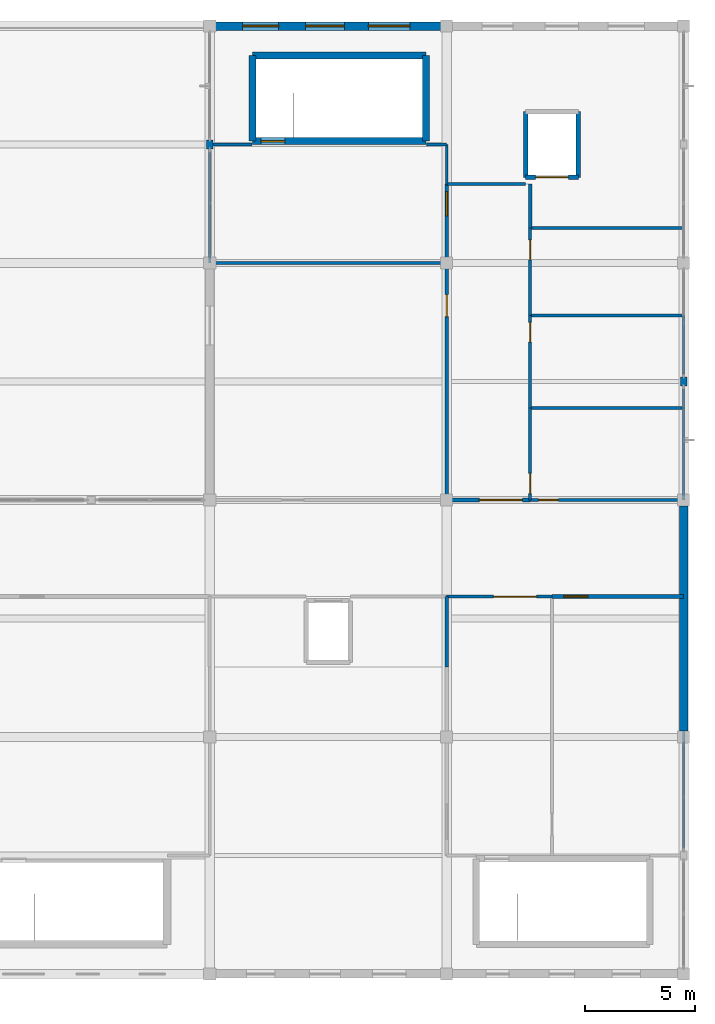
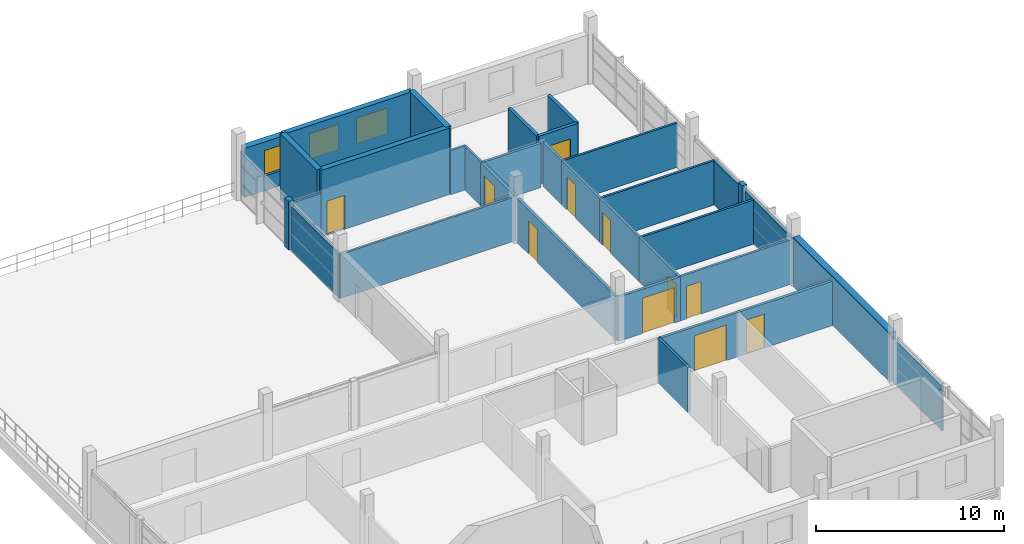
# One storey, part 13 of 15: 35 walls, 11 doors, 3 windows, 14 openings.
"""IFC4 building model written with IfcOpenShell, lengths in metres."""

from ifc_helpers import new_model, si_unit, direction, frame, frame_2d, origin, place, context, subcontext, project, spatial, rectangle, extrude, material, layer, layer_set, type_object, element, fill, save


model = new_model("IFC4")

# Units and contexts
model_context = context("Model", 3, precision=1e-05, world=origin(), true_north=direction((0.0, 1.0)))
body_context = subcontext(model_context, "Body", "Model", "MODEL_VIEW")
ifc_project = project(units=[si_unit("LENGTHUNIT", "METRE"), si_unit("AREAUNIT", "SQUARE_METRE"), si_unit("VOLUMEUNIT", "CUBIC_METRE"), si_unit("PLANEANGLEUNIT", "RADIAN"), si_unit("MASSUNIT", "GRAM", prefix="KILO")], contexts=[model_context])

# Site, building, storey
site_placement = place(None, origin())
site = spatial("IfcSite", under=ifc_project, at=site_placement, CompositionType="ELEMENT")
building_placement = place(site_placement, origin())
building = spatial("IfcBuilding", under=site, at=building_placement, Name="Zwinboog Wholesale Market", CompositionType="ELEMENT")
storey_placement = place(building_placement, frame((0.0, 0.0, 14.760009765625)))
storey = spatial("IfcBuildingStorey", under=building, at=storey_placement, Name="L03", CompositionType="ELEMENT", Elevation=14.760009765625)

# Wall, openings, windows
ifc_material_1 = material(Name="Precast concrete C45/55", Category="concrete")
ifc_layer_1 = layer(ifc_material_1, 0.389892578125)
ifc_layer_set_1 = layer_set([ifc_layer_1], Name="Precast concrete C45/55")
wall_type_1 = type_object("IfcWallType", Name="WT-EW-390", PredefinedType="STANDARD", material=ifc_layer_set_1)
wall_1_placement = place(storey_placement, frame((151.469970703125, 43.199951171875, 0.0), z_axis=(0.0, 0.0, 1.0), x_axis=(1.0, 0.0, 0.0)))
wall_1 = element("IfcWall", 1, at=wall_1_placement, inside=storey, type_object=wall_type_1, Name="EW-02 (WL-EW-L03-223)", PredefinedType="STANDARD", context=body_context, shape_type="SweptSolid", body=[
    extrude(rectangle(XDim=10.260009765625, YDim=0.389892578125, at=frame_2d((5.1298828125, 0.0))), origin(), (0.0, 0.0, 1.0), 3.169921875),
])
opening_1_placement = place(wall_1_placement, frame((1.22509765625, 0.0, 0.949951171875)))
opening_1 = element("IfcOpeningElement", 2, at=opening_1_placement, cuts=wall_1, Name="Opening WN-46", PredefinedType="OPENING", context=body_context, shape_type="SweptSolid", body=[
    extrude(rectangle(XDim=1.64990234375, YDim=1.64990234375, at=frame_2d((0.824951171875, 0.824951171875))), frame((0.0, 0.204833984375, 0.0), z_axis=(0.0, -1.0, 0.0), x_axis=(1.0, 0.0, 0.0)), (0.0, 0.0, 1.0), 0.409912109375),
])
opening_2_placement = place(wall_1_placement, frame((4.094970703125, 0.0, 0.949951171875)))
opening_2 = element("IfcOpeningElement", 3, at=opening_2_placement, cuts=wall_1, Name="Opening WN-47", PredefinedType="OPENING", context=body_context, shape_type="SweptSolid", body=[
    extrude(rectangle(XDim=1.77001953125, YDim=1.64990234375, at=frame_2d((0.885009765625, 0.824951171875))), frame((0.0, 0.204833984375, 0.0), z_axis=(0.0, -1.0, 0.0), x_axis=(1.0, 0.0, 0.0)), (0.0, 0.0, 1.0), 0.409912109375),
])
opening_3_placement = place(wall_1_placement, frame((6.965087890625, 0.0, 0.949951171875)))
opening_3 = element("IfcOpeningElement", 4, at=opening_3_placement, cuts=wall_1, Name="Opening WN-48", PredefinedType="OPENING", context=body_context, shape_type="SweptSolid", body=[
    extrude(rectangle(XDim=1.889892578125, YDim=1.64990234375, at=frame_2d((0.94482421875, 0.824951171875))), frame((0.0, 0.204833984375, 0.0), z_axis=(0.0, -1.0, 0.0), x_axis=(1.0, 0.0, 0.0)), (0.0, 0.0, 1.0), 0.409912109375),
])
ifc_material_2 = material(Name="Thermally broken aluminium low-e window", Category="aluminium")
window_type_1 = type_object("IfcWindowType", Name="WNT-46", PartitioningType="SINGLE_PANEL", PredefinedType="WINDOW", material=ifc_material_2)
window_1_placement = place(opening_1_placement, origin())
window_1 = element("IfcWindow", 5, at=window_1_placement, inside=storey, type_object=window_type_1, Name="WN-46 (WIN-L03-0262)", OverallHeight=1.64990234375, OverallWidth=1.64990234375, PartitioningType="SINGLE_PANEL", PredefinedType="WINDOW", context=body_context, shape_type="SweptSolid", body=[
    extrude(rectangle(XDim=1.64990234375, YDim=1.64990234375, at=frame_2d((0.824951171875, 0.824951171875))), frame((0.0, 0.030029296875, 0.0), z_axis=(0.0, -1.0, 0.0), x_axis=(1.0, 0.0, 0.0)), (0.0, 0.0, 1.0), 0.06005859375),
])
fill(opening_1, window_1)
window_type_2 = type_object("IfcWindowType", Name="WNT-47", PartitioningType="SINGLE_PANEL", PredefinedType="WINDOW", material=ifc_material_2)
window_2_placement = place(opening_2_placement, origin())
window_2 = element("IfcWindow", 6, at=window_2_placement, inside=storey, type_object=window_type_2, Name="WN-47 (WIN-L03-0263)", OverallHeight=1.64990234375, OverallWidth=1.77001953125, PartitioningType="SINGLE_PANEL", PredefinedType="WINDOW", context=body_context, shape_type="SweptSolid", body=[
    extrude(rectangle(XDim=1.77001953125, YDim=1.64990234375, at=frame_2d((0.885009765625, 0.824951171875))), frame((0.0, 0.030029296875, 0.0), z_axis=(0.0, -1.0, 0.0), x_axis=(1.0, 0.0, 0.0)), (0.0, 0.0, 1.0), 0.06005859375),
])
fill(opening_2, window_2)
window_type_3 = type_object("IfcWindowType", Name="WNT-48", PartitioningType="SINGLE_PANEL", PredefinedType="WINDOW", material=ifc_material_2)
window_3_placement = place(opening_3_placement, origin())
window_3 = element("IfcWindow", 7, at=window_3_placement, inside=storey, type_object=window_type_3, Name="WN-48 (WIN-L03-0264)", OverallHeight=1.64990234375, OverallWidth=1.889892578125, PartitioningType="SINGLE_PANEL", PredefinedType="WINDOW", context=body_context, shape_type="SweptSolid", body=[
    extrude(rectangle(XDim=1.889892578125, YDim=1.64990234375, at=frame_2d((0.94482421875, 0.824951171875))), frame((0.0, 0.030029296875, 0.0), z_axis=(0.0, -1.0, 0.0), x_axis=(1.0, 0.0, 0.0)), (0.0, 0.0, 1.0), 0.06005859375),
])
fill(opening_3, window_3)

# Walls
wall_2_placement = place(storey_placement, frame((172.800048828125, 11.070068359375, 0.0), z_axis=(0.0, 0.0, 1.0), x_axis=(0.0, 1.0, 0.0)))
element("IfcWall", 8, at=wall_2_placement, inside=storey, type_object=wall_type_1, Name="EW-02 (WL-EW-L03-227)", PredefinedType="STANDARD", context=body_context, shape_type="SweptSolid", body=[
    extrude(rectangle(XDim=10.260009765625, YDim=0.389892578125, at=frame_2d((5.1298828125, 0.0))), origin(), (0.0, 0.0, 1.0), 3.169921875),
])
ifc_layer_2 = layer(ifc_material_1, 0.304931640625)
ifc_layer_set_2 = layer_set([ifc_layer_2], Name="Precast concrete C45/55")
wall_type_2 = type_object("IfcWallType", Name="WT-EW-305", PredefinedType="STANDARD", material=ifc_layer_set_2)
for number, where, z_axis, x_axis, name in (
    (9, (151.199951171875, 37.60009765625, 0.0), (0.0, 0.0, 1.0), (0.0, 1.0, 0.0), "EW-07 (WL-PIER-L03-224)"),
    (10, (172.800048828125, 26.800048828125, 0.0), (0.0, 0.0, 1.0), (0.0, 1.0, 0.0), "EW-07 (WL-PIER-L03-228)"),
):
    element("IfcWall", number, at=place(storey_placement, frame(where, z_axis=z_axis, x_axis=x_axis)), inside=storey, type_object=wall_type_2, Name=name, PredefinedType="STANDARD", context=body_context, shape_type="SweptSolid", body=[
        extrude(rectangle(XDim=0.39990234375, YDim=0.304931640625, at=frame_2d((0.199951171875, 0.0))), origin(), (0.0, 0.0, 1.0), 3.169921875),
    ])

# Wall, opening, door
ifc_material_3 = material(Name="Concrete C40/50", Category="concrete")
ifc_layer_3 = layer(ifc_material_3, 0.320068359375)
ifc_layer_set_3 = layer_set([ifc_layer_3], Name="Concrete C40/50")
wall_type_3 = type_object("IfcWallType", Name="WT-SW-320", PredefinedType="SHEAR", material=ifc_layer_set_3)
wall_3_placement = place(storey_placement, frame((153.14990234375, 37.949951171875, 0.0), z_axis=(0.0, 0.0, 1.0), x_axis=(1.0, 0.0, 0.0)))
wall_3 = element("IfcWall", 11, at=wall_3_placement, inside=storey, type_object=wall_type_3, Name="SW-03 (WL-SW-L03-125)", PredefinedType="SHEAR", context=body_context, shape_type="SweptSolid", body=[
    extrude(rectangle(XDim=7.900146484375, YDim=0.320068359375, at=frame_2d((3.9501953125, 0.0))), origin(), (0.0, 0.0, 1.0), 4.320068359375),
])
opening_4_placement = place(wall_3_placement, frame((0.3798828125, 0.0, 0.0)))
opening_4 = element("IfcOpeningElement", 12, at=opening_4_placement, cuts=wall_3, Name="Opening FD-0032", PredefinedType="OPENING", context=body_context, shape_type="SweptSolid", body=[
    extrude(rectangle(XDim=1.10009765625, YDim=2.199951171875, at=frame_2d((0.550048828125, 1.10009765625))), frame((0.0, 0.169921875, 0.0), z_axis=(0.0, -1.0, 0.0), x_axis=(1.0, 0.0, 0.0)), (0.0, 0.0, 1.0), 0.340087890625),
])
ifc_material_4 = material(Name="Timber and powder-coated steel door leaf", Category="steel")
door_type_1 = type_object("IfcDoorType", Name="IDT-FD-02", OperationType="NOTDEFINED", PredefinedType="DOOR", material=ifc_material_4)
door_1_placement = place(opening_4_placement, frame((1.10009765625, 0.0, 0.0), z_axis=(0.0, 0.0, 1.0), x_axis=(-1.0, 0.0, 0.0)))
door_1 = element("IfcDoor", 13, at=door_1_placement, inside=storey, type_object=door_type_1, Name="Core Fire Door FD-0032", OperationType="SINGLE_SWING_LEFT", OverallHeight=2.199951171875, OverallWidth=1.10009765625, PredefinedType="DOOR", context=body_context, shape_type="SweptSolid", body=[
    extrude(rectangle(XDim=1.10009765625, YDim=2.199951171875, at=frame_2d((0.550048828125, 1.10009765625))), frame((0.0, 0.02490234375, 0.0), z_axis=(0.0, -1.0, 0.0), x_axis=(1.0, 0.0, 0.0)), (0.0, 0.0, 1.0), 0.050048828125),
])
fill(opening_4, door_1)

# Walls
wall_4_placement = place(storey_placement, frame((153.14990234375, 41.85009765625, 0.0), z_axis=(0.0, 0.0, 1.0), x_axis=(1.0, 0.0, 0.0)))
element("IfcWall", 14, at=wall_4_placement, inside=storey, type_object=wall_type_3, Name="SW-03 (WL-SW-L03-126)", PredefinedType="SHEAR", context=body_context, shape_type="SweptSolid", body=[
    extrude(rectangle(XDim=7.900146484375, YDim=0.320068359375, at=frame_2d((3.9501953125, 0.0))), origin(), (0.0, 0.0, 1.0), 4.320068359375),
])
for number, where, z_axis, x_axis, name in (
    (15, (153.14990234375, 37.949951171875, 0.0), (0.0, 0.0, 1.0), (0.0, 1.0, 0.0), "SW-03 (WL-SW-L03-127)"),
    (16, (161.050048828125, 37.949951171875, 0.0), (0.0, 0.0, 1.0), (0.0, 1.0, 0.0), "SW-03 (WL-SW-L03-128)"),
):
    element("IfcWall", number, at=place(storey_placement, frame(where, z_axis=z_axis, x_axis=x_axis)), inside=storey, type_object=wall_type_3, Name=name, PredefinedType="SHEAR", context=body_context, shape_type="SweptSolid", body=[
        extrude(rectangle(XDim=3.900146484375, YDim=0.320068359375, at=frame_2d((1.9501953125, 0.0))), origin(), (0.0, 0.0, 1.0), 4.320068359375),
    ])

# Wall, opening, door
ifc_layer_4 = layer(ifc_material_1, 0.199951171875)
ifc_layer_set_4 = layer_set([ifc_layer_4], Name="Precast concrete C45/55")
wall_type_4 = type_object("IfcWallType", Name="WT-IW-200", PredefinedType="SOLIDWALL", material=ifc_layer_set_4)
wall_5_placement = place(storey_placement, frame((165.60009765625, 36.300048828125, 0.0), z_axis=(0.0, 0.0, 1.0), x_axis=(1.0, 0.0, 0.0)))
wall_5 = element("IfcWall", 17, at=wall_5_placement, inside=storey, type_object=wall_type_4, Name="IW-60 (WL-LSH-L03-265)", PredefinedType="SOLIDWALL", context=body_context, shape_type="SweptSolid", body=[
    extrude(rectangle(XDim=2.39990234375, YDim=0.199951171875, at=frame_2d((1.199951171875, 0.0))), origin(), (0.0, 0.0, 1.0), 3.139892578125),
])
opening_5_placement = place(wall_5_placement, frame((0.449951171875, 0.0, 0.0)))
opening_5 = element("IfcOpeningElement", 18, at=opening_5_placement, cuts=wall_5, Name="Opening LD-025", PredefinedType="OPENING", context=body_context, shape_type="SweptSolid", body=[
    extrude(rectangle(XDim=1.5, YDim=2.300048828125, at=frame_2d((0.75, 1.14990234375))), frame((0.0, 0.10986328125, 0.0), z_axis=(0.0, -1.0, 0.0), x_axis=(1.0, 0.0, 0.0)), (0.0, 0.0, 1.0), 0.219970703125),
])
door_type_2 = type_object("IfcDoorType", Name="IDT-LD-150", OperationType="DOUBLE_DOOR_SLIDING", PredefinedType="DOOR", material=ifc_material_4)
door_2_placement = place(opening_5_placement, origin())
door_2 = element("IfcDoor", 19, at=door_2_placement, inside=storey, type_object=door_type_2, Name="Lift Landing Door LD-025 (LG-04)", OperationType="DOUBLE_DOOR_SLIDING", OverallHeight=2.300048828125, OverallWidth=1.5, PredefinedType="DOOR", context=body_context, shape_type="SweptSolid", body=[
    extrude(rectangle(XDim=1.5, YDim=2.300048828125, at=frame_2d((0.75, 1.14990234375))), frame((0.0, 0.02490234375, 0.0), z_axis=(0.0, -1.0, 0.0), x_axis=(1.0, 0.0, 0.0)), (0.0, 0.0, 1.0), 0.050048828125),
])
fill(opening_5, door_2)

# Walls
for number, where, z_axis, x_axis, name in (
    (20, (165.60009765625, 36.300048828125, 0.0), (0.0, 0.0, 1.0), (0.0, 1.0, 0.0), "IW-60 (WL-LSH-L03-267)"),
    (21, (168.0, 36.300048828125, 0.0), (0.0, 0.0, 1.0), (0.0, 1.0, 0.0), "IW-60 (WL-LSH-L03-268)"),
):
    element("IfcWall", number, at=place(storey_placement, frame(where, z_axis=z_axis, x_axis=x_axis)), inside=storey, type_object=wall_type_4, Name=name, PredefinedType="SOLIDWALL", context=body_context, shape_type="SweptSolid", body=[
        extrude(rectangle(XDim=3.0, YDim=0.199951171875, at=frame_2d((1.5, 0.0))), origin(), (0.0, 0.0, 1.0), 3.139892578125),
    ])
ifc_material_5 = material(Name="Gypsum acoustic stud partition")
ifc_layer_5 = layer(ifc_material_5, 0.10791015625)
ifc_layer_set_5 = layer_set([ifc_layer_5], Name="Gypsum acoustic stud partition")
wall_type_5 = type_object("IfcWallType", Name="WT-PT-108", PredefinedType="PARTITIONING", material=ifc_layer_set_5)
wall_6_placement = place(storey_placement, frame((151.199951171875, 32.39990234375, 0.0), z_axis=(0.0, 0.0, 1.0), x_axis=(0.0, 1.0, 0.0)))
element("IfcWall", 22, at=wall_6_placement, inside=storey, type_object=wall_type_5, Name="PW-01 (WL-IN-L03-0328)", PredefinedType="PARTITIONING", context=body_context, shape_type="SweptSolid", body=[
    extrude(rectangle(XDim=5.047607421875, YDim=0.10791015625, at=frame_2d((2.52392578125, 0.0))), origin(), (0.0, 0.0, 1.0), 2.869873046875),
])
wall_7_placement = place(storey_placement, frame((162.0, 36.0, 0.0), z_axis=(0.0, 0.0, 1.0), x_axis=(0.0, 1.0, 0.0)))
element("IfcWall", 23, at=wall_7_placement, inside=storey, type_object=wall_type_5, Name="PW-01 (WL-IN-L03-0334)", PredefinedType="PARTITIONING", context=body_context, shape_type="SweptSolid", body=[
    extrude(rectangle(XDim=1.800048828125, YDim=0.10791015625, at=frame_2d((0.89990234375, 0.0))), origin(), (0.0, 0.0, 1.0), 2.869873046875),
])
wall_8_placement = place(storey_placement, frame((172.800048828125, 5.75244140625, 0.0), z_axis=(0.0, 0.0, 1.0), x_axis=(0.0, 1.0, 0.0)))
element("IfcWall", 24, at=wall_8_placement, inside=storey, type_object=wall_type_5, Name="PW-01 (WL-IN-L03-0340)", PredefinedType="PARTITIONING", context=body_context, shape_type="SweptSolid", body=[
    extrude(rectangle(XDim=5.297607421875, YDim=0.10791015625, at=frame_2d((2.64892578125, 0.0))), origin(), (0.0, 0.0, 1.0), 2.869873046875),
])
ifc_layer_6 = layer(ifc_material_5, 0.1240234375)
ifc_layer_set_6 = layer_set([ifc_layer_6], Name="Gypsum acoustic stud partition")
wall_type_6 = type_object("IfcWallType", Name="WT-PT-124", PredefinedType="PARTITIONING", material=ifc_layer_set_6)
wall_9_placement = place(storey_placement, frame((151.33251953125, 37.800048828125, 0.0), z_axis=(0.0, 0.0, 1.0), x_axis=(1.0, 0.0, 0.0)))
element("IfcWall", 25, at=wall_9_placement, inside=storey, type_object=wall_type_6, Name="PW-02 (WL-IN-L03-0329)", PredefinedType="PARTITIONING", context=body_context, shape_type="SweptSolid", body=[
    extrude(rectangle(XDim=1.79736328125, YDim=0.1240234375, at=frame_2d((0.898681640625, 0.0))), origin(), (0.0, 0.0, 1.0), 2.869873046875),
])
wall_10_placement = place(storey_placement, frame((161.070068359375, 37.800048828125, 0.0), z_axis=(0.0, 0.0, 1.0), x_axis=(1.0, 0.0, 0.0)))
element("IfcWall", 26, at=wall_10_placement, inside=storey, type_object=wall_type_6, Name="PW-02 (WL-IN-L03-0330)", PredefinedType="PARTITIONING", context=body_context, shape_type="SweptSolid", body=[
    extrude(rectangle(XDim=0.929931640625, YDim=0.1240234375, at=frame_2d((0.46484375, 0.0))), origin(), (0.0, 0.0, 1.0), 2.869873046875),
])

# Wall, opening, door
ifc_material_6 = material(Name="Hygienic washable stud partition")
ifc_layer_7 = layer(ifc_material_6, 0.137939453125)
ifc_layer_set_7 = layer_set([ifc_layer_7], Name="Hygienic washable stud partition")
wall_type_7 = type_object("IfcWallType", Name="WT-PT-138", PredefinedType="PARTITIONING", material=ifc_layer_set_7)
wall_11_placement = place(storey_placement, frame((165.800048828125, 21.60009765625, 0.0), z_axis=(0.0, 0.0, 1.0), x_axis=(1.0, 0.0, 0.0)))
wall_11 = element("IfcWall", 27, at=wall_11_placement, inside=storey, type_object=wall_type_7, Name="PW-03 (WL-IN-L03-0301)", PredefinedType="PARTITIONING", context=body_context, shape_type="SweptSolid", body=[
    extrude(rectangle(XDim=7.0, YDim=0.137939453125, at=frame_2d((3.5, 0.0))), origin(), (0.0, 0.0, 1.0), 2.869873046875),
])
opening_6_placement = place(wall_11_placement, frame((0.389892578125, 0.0, 0.0)))
opening_6 = element("IfcOpeningElement", 28, at=opening_6_placement, cuts=wall_11, Name="Opening D-0097", PredefinedType="OPENING", context=body_context, shape_type="SweptSolid", body=[
    extrude(rectangle(XDim=0.89990234375, YDim=2.10009765625, at=frame_2d((0.449951171875, 1.050048828125))), frame((0.0, 0.078857421875, 0.0), z_axis=(0.0, -1.0, 0.0), x_axis=(1.0, 0.0, 0.0)), (0.0, 0.0, 1.0), 0.157958984375),
])
door_type_3 = type_object("IfcDoorType", Name="IDT-WC-01", OperationType="NOTDEFINED", PredefinedType="DOOR", material=ifc_material_4)
door_3_placement = place(opening_6_placement, origin())
door_3 = element("IfcDoor", 29, at=door_3_placement, inside=storey, type_object=door_type_3, Name="Interior Door D-0097", OperationType="SINGLE_SWING_RIGHT", OverallHeight=2.10009765625, OverallWidth=0.89990234375, PredefinedType="DOOR", context=body_context, shape_type="SweptSolid", body=[
    extrude(rectangle(XDim=0.89990234375, YDim=2.10009765625, at=frame_2d((0.449951171875, 1.050048828125))), frame((0.0, 0.02490234375, 0.0), z_axis=(0.0, -1.0, 0.0), x_axis=(1.0, 0.0, 0.0)), (0.0, 0.0, 1.0), 0.050048828125),
])
fill(opening_6, door_3)

wall_12_placement = place(storey_placement, frame((165.800048828125, 21.60009765625, 0.0), z_axis=(0.0, 0.0, 1.0), x_axis=(0.0, 1.0, 0.0)))
wall_12 = element("IfcWall", 30, at=wall_12_placement, inside=storey, type_object=wall_type_7, Name="PW-03 (WL-IN-L03-0302)", PredefinedType="PARTITIONING", context=body_context, shape_type="SweptSolid", body=[
    extrude(rectangle(XDim=4.199951171875, YDim=0.137939453125, at=frame_2d((2.10009765625, 0.0))), origin(), (0.0, 0.0, 1.0), 2.869873046875),
])
opening_7_placement = place(wall_12_placement, frame((0.2958984375, 0.0, 0.0)))
opening_7 = element("IfcOpeningElement", 31, at=opening_7_placement, cuts=wall_12, Name="Opening D-0098", PredefinedType="OPENING", context=body_context, shape_type="SweptSolid", body=[
    extrude(rectangle(XDim=0.919921875, YDim=2.139892578125, at=frame_2d((0.4599609375, 1.06982421875))), frame((0.0, 0.078857421875, 0.0), z_axis=(0.0, -1.0, 0.0), x_axis=(1.0, 0.0, 0.0)), (0.0, 0.0, 1.0), 0.157958984375),
])
door_type_4 = type_object("IfcDoorType", Name="IDT-WC-02", OperationType="NOTDEFINED", PredefinedType="DOOR", material=ifc_material_4)
door_4_placement = place(opening_7_placement, origin())
door_4 = element("IfcDoor", 32, at=door_4_placement, inside=storey, type_object=door_type_4, Name="Interior Door D-0098", OperationType="SINGLE_SWING_LEFT", OverallHeight=2.139892578125, OverallWidth=0.919921875, PredefinedType="DOOR", context=body_context, shape_type="SweptSolid", body=[
    extrude(rectangle(XDim=0.919921875, YDim=2.139892578125, at=frame_2d((0.4599609375, 1.06982421875))), frame((0.0, 0.02490234375, 0.0), z_axis=(0.0, -1.0, 0.0), x_axis=(1.0, 0.0, 0.0)), (0.0, 0.0, 1.0), 0.050048828125),
])
fill(opening_7, door_4)

wall_13_placement = place(storey_placement, frame((165.800048828125, 25.800048828125, 0.0), z_axis=(0.0, 0.0, 1.0), x_axis=(0.0, 1.0, 0.0)))
wall_13 = element("IfcWall", 33, at=wall_13_placement, inside=storey, type_object=wall_type_7, Name="PW-03 (WL-IN-L03-0303)", PredefinedType="PARTITIONING", context=body_context, shape_type="SweptSolid", body=[
    extrude(rectangle(XDim=4.199951171875, YDim=0.137939453125, at=frame_2d((2.10009765625, 0.0))), origin(), (0.0, 0.0, 1.0), 2.869873046875),
])
opening_8_placement = place(wall_13_placement, frame((2.993896484375, 0.0, 0.0)))
opening_8 = element("IfcOpeningElement", 34, at=opening_8_placement, cuts=wall_13, Name="Opening D-0099", PredefinedType="OPENING", context=body_context, shape_type="SweptSolid", body=[
    extrude(rectangle(XDim=0.89990234375, YDim=2.10009765625, at=frame_2d((0.449951171875, 1.050048828125))), frame((0.0, 0.078857421875, 0.0), z_axis=(0.0, -1.0, 0.0), x_axis=(1.0, 0.0, 0.0)), (0.0, 0.0, 1.0), 0.157958984375),
])
door_5_placement = place(opening_8_placement, frame((0.89990234375, 0.0, 0.0), z_axis=(0.0, 0.0, 1.0), x_axis=(-1.0, 0.0, 0.0)))
door_5 = element("IfcDoor", 35, at=door_5_placement, inside=storey, type_object=door_type_3, Name="Interior Door D-0099", OperationType="SINGLE_SWING_RIGHT", OverallHeight=2.10009765625, OverallWidth=0.89990234375, PredefinedType="DOOR", context=body_context, shape_type="SweptSolid", body=[
    extrude(rectangle(XDim=0.89990234375, YDim=2.10009765625, at=frame_2d((0.449951171875, 1.050048828125))), frame((0.0, 0.02490234375, 0.0), z_axis=(0.0, -1.0, 0.0), x_axis=(1.0, 0.0, 0.0)), (0.0, 0.0, 1.0), 0.050048828125),
])
fill(opening_8, door_5)

wall_14_placement = place(storey_placement, frame((165.800048828125, 30.0, 0.0), z_axis=(0.0, 0.0, 1.0), x_axis=(0.0, 1.0, 0.0)))
wall_14 = element("IfcWall", 36, at=wall_14_placement, inside=storey, type_object=wall_type_7, Name="PW-03 (WL-IN-L03-0304)", PredefinedType="PARTITIONING", context=body_context, shape_type="SweptSolid", body=[
    extrude(rectangle(XDim=4.0, YDim=0.137939453125, at=frame_2d((2.0, 0.0))), origin(), (0.0, 0.0, 1.0), 2.869873046875),
])
opening_9_placement = place(wall_14_placement, frame((2.5400390625, 0.0, 0.0)))
opening_9 = element("IfcOpeningElement", 37, at=opening_9_placement, cuts=wall_14, Name="Opening D-0100", PredefinedType="OPENING", context=body_context, shape_type="SweptSolid", body=[
    extrude(rectangle(XDim=0.919921875, YDim=2.139892578125, at=frame_2d((0.4599609375, 1.06982421875))), frame((0.0, 0.078857421875, 0.0), z_axis=(0.0, -1.0, 0.0), x_axis=(1.0, 0.0, 0.0)), (0.0, 0.0, 1.0), 0.157958984375),
])
door_6_placement = place(opening_9_placement, origin())
door_6 = element("IfcDoor", 38, at=door_6_placement, inside=storey, type_object=door_type_4, Name="Interior Door D-0100", OperationType="SINGLE_SWING_LEFT", OverallHeight=2.139892578125, OverallWidth=0.919921875, PredefinedType="DOOR", context=body_context, shape_type="SweptSolid", body=[
    extrude(rectangle(XDim=0.919921875, YDim=2.139892578125, at=frame_2d((0.4599609375, 1.06982421875))), frame((0.0, 0.02490234375, 0.0), z_axis=(0.0, -1.0, 0.0), x_axis=(1.0, 0.0, 0.0)), (0.0, 0.0, 1.0), 0.050048828125),
])
fill(opening_9, door_6)

# Walls
wall_15_placement = place(storey_placement, frame((151.199951171875, 32.39990234375, 0.0), z_axis=(0.0, 0.0, 1.0), x_axis=(1.0, 0.0, 0.0)))
element("IfcWall", 39, at=wall_15_placement, inside=storey, type_object=wall_type_7, Name="PW-03 (WL-IN-L03-0327)", PredefinedType="PARTITIONING", context=body_context, shape_type="SweptSolid", body=[
    extrude(rectangle(XDim=10.800048828125, YDim=0.137939453125, at=frame_2d((5.39990234375, 0.0))), origin(), (0.0, 0.0, 1.0), 2.869873046875),
])
for number, where, z_axis, x_axis, name in (
    (40, (165.800048828125, 25.800048828125, 0.0), (0.0, 0.0, 1.0), (1.0, 0.0, 0.0), "PW-03 (WL-IN-L03-0335)"),
    (41, (165.800048828125, 30.0, 0.0), (0.0, 0.0, 1.0), (1.0, 0.0, 0.0), "PW-03 (WL-IN-L03-0336)"),
    (42, (165.800048828125, 34.0, 0.0), (0.0, 0.0, 1.0), (1.0, 0.0, 0.0), "PW-03 (WL-IN-L03-0338)"),
):
    element("IfcWall", number, at=place(storey_placement, frame(where, z_axis=z_axis, x_axis=x_axis)), inside=storey, type_object=wall_type_7, Name=name, PredefinedType="PARTITIONING", context=body_context, shape_type="SweptSolid", body=[
        extrude(rectangle(XDim=7.0, YDim=0.137939453125, at=frame_2d((3.5, 0.0))), origin(), (0.0, 0.0, 1.0), 2.869873046875),
    ])
wall_16_placement = place(storey_placement, frame((172.800048828125, 21.60009765625, 0.0), z_axis=(0.0, 0.0, 1.0), x_axis=(0.0, 1.0, 0.0)))
element("IfcWall", 43, at=wall_16_placement, inside=storey, type_object=wall_type_7, Name="PW-03 (WL-IN-L03-0341)", PredefinedType="PARTITIONING", context=body_context, shape_type="SweptSolid", body=[
    extrude(rectangle(XDim=4.199951171875, YDim=0.137939453125, at=frame_2d((2.10009765625, 0.0))), origin(), (0.0, 0.0, 1.0), 2.869873046875),
])
wall_17_placement = place(storey_placement, frame((172.800048828125, 25.800048828125, 0.0), z_axis=(0.0, 0.0, 1.0), x_axis=(0.0, 1.0, 0.0)))
element("IfcWall", 44, at=wall_17_placement, inside=storey, type_object=wall_type_7, Name="PW-03 (WL-IN-L03-0342)", PredefinedType="PARTITIONING", context=body_context, shape_type="SweptSolid", body=[
    extrude(rectangle(XDim=0.847412109375, YDim=0.137939453125, at=frame_2d((0.423828125, 0.0))), origin(), (0.0, 0.0, 1.0), 2.869873046875),
])
wall_18_placement = place(storey_placement, frame((172.800048828125, 27.3525390625, 0.0), z_axis=(0.0, 0.0, 1.0), x_axis=(0.0, 1.0, 0.0)))
element("IfcWall", 45, at=wall_18_placement, inside=storey, type_object=wall_type_7, Name="PW-03 (WL-IN-L03-0343)", PredefinedType="PARTITIONING", context=body_context, shape_type="SweptSolid", body=[
    extrude(rectangle(XDim=2.6474609375, YDim=0.137939453125, at=frame_2d((1.32373046875, 0.0))), origin(), (0.0, 0.0, 1.0), 2.869873046875),
])

# Wall, opening, door
ifc_material_7 = material(Name="Fire-rated corridor stud partition")
ifc_layer_8 = layer(ifc_material_7, 0.154052734375)
ifc_layer_set_8 = layer_set([ifc_layer_8], Name="Fire-rated corridor stud partition")
wall_type_8 = type_object("IfcWallType", Name="WT-PT-154", PredefinedType="PARTITIONING", material=ifc_layer_set_8)
wall_19_placement = place(storey_placement, frame((162.0, 17.199951171875, 0.0), z_axis=(0.0, 0.0, 1.0), x_axis=(1.0, 0.0, 0.0)))
wall_19 = element("IfcWall", 46, at=wall_19_placement, inside=storey, type_object=wall_type_8, Name="PW-04 (WL-IN-L03-0299)", PredefinedType="PARTITIONING", context=body_context, shape_type="SweptSolid", body=[
    extrude(rectangle(XDim=4.800048828125, YDim=0.154052734375, at=frame_2d((2.39990234375, 0.0))), origin(), (0.0, 0.0, 1.0), 2.869873046875),
])
opening_10_placement = place(wall_19_placement, frame((2.139892578125, 0.0, 0.0)))
opening_10 = element("IfcOpeningElement", 47, at=opening_10_placement, cuts=wall_19, Name="Opening IDF-0095", PredefinedType="OPENING", context=body_context, shape_type="SweptSolid", body=[
    extrude(rectangle(XDim=1.9599609375, YDim=2.300048828125, at=frame_2d((0.97998046875, 1.14990234375))), frame((0.0, 0.0869140625, 0.0), z_axis=(0.0, -1.0, 0.0), x_axis=(1.0, 0.0, 0.0)), (0.0, 0.0, 1.0), 0.174072265625),
])
door_type_5 = type_object("IfcDoorType", Name="IDT-FD-05", OperationType="DOUBLE_DOOR_SINGLE_SWING", PredefinedType="DOOR", material=ifc_material_4)
door_7_placement = place(opening_10_placement, origin())
door_7 = element("IfcDoor", 48, at=door_7_placement, inside=storey, type_object=door_type_5, Name="Interior Door IDF-0095", OperationType="DOUBLE_DOOR_SINGLE_SWING", OverallHeight=2.300048828125, OverallWidth=1.9599609375, PredefinedType="DOOR", context=body_context, shape_type="SweptSolid", body=[
    extrude(rectangle(XDim=1.9599609375, YDim=2.300048828125, at=frame_2d((0.97998046875, 1.14990234375))), frame((0.0, 0.02490234375, 0.0), z_axis=(0.0, -1.0, 0.0), x_axis=(1.0, 0.0, 0.0)), (0.0, 0.0, 1.0), 0.050048828125),
])
fill(opening_10, door_7)

wall_20_placement = place(storey_placement, frame((162.0, 21.60009765625, 0.0), z_axis=(0.0, 0.0, 1.0), x_axis=(0.0, 1.0, 0.0)))
wall_20 = element("IfcWall", 49, at=wall_20_placement, inside=storey, type_object=wall_type_8, Name="PW-04 (WL-IN-L03-0309)", PredefinedType="PARTITIONING", context=body_context, shape_type="SweptSolid", body=[
    extrude(rectangle(XDim=10.7998046875, YDim=0.154052734375, at=frame_2d((5.39990234375, 0.0))), origin(), (0.0, 0.0, 1.0), 2.869873046875),
])
opening_11_placement = place(wall_20_placement, frame((8.35595703125, 0.0, 0.0)))
opening_11 = element("IfcOpeningElement", 50, at=opening_11_placement, cuts=wall_20, Name="Opening IDF-0105", PredefinedType="OPENING", context=body_context, shape_type="SweptSolid", body=[
    extrude(rectangle(XDim=1.0, YDim=2.14990234375, at=frame_2d((0.5, 1.074951171875))), frame((0.0, 0.0869140625, 0.0), z_axis=(0.0, -1.0, 0.0), x_axis=(1.0, 0.0, 0.0)), (0.0, 0.0, 1.0), 0.174072265625),
])
door_type_6 = type_object("IfcDoorType", Name="IDT-FD-01", OperationType="NOTDEFINED", PredefinedType="DOOR", material=ifc_material_4)
door_8_placement = place(opening_11_placement, frame((1.0, 0.0, 0.0), z_axis=(0.0, 0.0, 1.0), x_axis=(-1.0, 0.0, 0.0)))
door_8 = element("IfcDoor", 51, at=door_8_placement, inside=storey, type_object=door_type_6, Name="Interior Door IDF-0105", OperationType="SINGLE_SWING_RIGHT", OverallHeight=2.14990234375, OverallWidth=1.0, PredefinedType="DOOR", context=body_context, shape_type="SweptSolid", body=[
    extrude(rectangle(XDim=1.0, YDim=2.14990234375, at=frame_2d((0.5, 1.074951171875))), frame((0.0, 0.02490234375, 0.0), z_axis=(0.0, -1.0, 0.0), x_axis=(1.0, 0.0, 0.0)), (0.0, 0.0, 1.0), 0.050048828125),
])
fill(opening_11, door_8)

# Walls
wall_21_placement = place(storey_placement, frame((162.0, 36.0, 0.0), z_axis=(0.0, 0.0, 1.0), x_axis=(1.0, 0.0, 0.0)))
element("IfcWall", 52, at=wall_21_placement, inside=storey, type_object=wall_type_8, Name="PW-04 (WL-IN-L03-0333)", PredefinedType="PARTITIONING", context=body_context, shape_type="SweptSolid", body=[
    extrude(rectangle(XDim=3.580078125, YDim=0.154052734375, at=frame_2d((1.7900390625, 0.0))), origin(), (0.0, 0.0, 1.0), 2.869873046875),
])
wall_22_placement = place(storey_placement, frame((165.800048828125, 34.0, 0.0), z_axis=(0.0, 0.0, 1.0), x_axis=(0.0, 1.0, 0.0)))
element("IfcWall", 53, at=wall_22_placement, inside=storey, type_object=wall_type_8, Name="PW-04 (WL-IN-L03-0337)", PredefinedType="PARTITIONING", context=body_context, shape_type="SweptSolid", body=[
    extrude(rectangle(XDim=2.0, YDim=0.154052734375, at=frame_2d((1.0, 0.0))), origin(), (0.0, 0.0, 1.0), 2.869873046875),
])

# Wall, opening, door
ifc_material_8 = material(Name="Laboratory acoustic partition")
ifc_layer_9 = layer(ifc_material_8, 0.16796875)
ifc_layer_set_9 = layer_set([ifc_layer_9], Name="Laboratory acoustic partition")
wall_type_9 = type_object("IfcWallType", Name="WT-PT-168", PredefinedType="PARTITIONING", material=ifc_layer_set_9)
wall_23_placement = place(storey_placement, frame((162.0, 21.60009765625, 0.0), z_axis=(0.0, 0.0, 1.0), x_axis=(1.0, 0.0, 0.0)))
wall_23 = element("IfcWall", 54, at=wall_23_placement, inside=storey, type_object=wall_type_9, Name="PW-05 (WL-IN-L03-0300)", PredefinedType="PARTITIONING", context=body_context, shape_type="SweptSolid", body=[
    extrude(rectangle(XDim=3.800048828125, YDim=0.16796875, at=frame_2d((1.89990234375, 0.0))), origin(), (0.0, 0.0, 1.0), 2.869873046875),
])
opening_12_placement = place(wall_23_placement, frame((1.489990234375, 0.0, 0.0)))
opening_12 = element("IfcOpeningElement", 55, at=opening_12_placement, cuts=wall_23, Name="Opening IDF-0096", PredefinedType="OPENING", context=body_context, shape_type="SweptSolid", body=[
    extrude(rectangle(XDim=1.9599609375, YDim=2.300048828125, at=frame_2d((0.97998046875, 1.14990234375))), frame((0.0, 0.093994140625, 0.0), z_axis=(0.0, -1.0, 0.0), x_axis=(1.0, 0.0, 0.0)), (0.0, 0.0, 1.0), 0.18798828125),
])
door_9_placement = place(opening_12_placement, frame((1.9599609375, 0.0, 0.0), z_axis=(0.0, 0.0, 1.0), x_axis=(-1.0, 0.0, 0.0)))
door_9 = element("IfcDoor", 56, at=door_9_placement, inside=storey, type_object=door_type_5, Name="Interior Door IDF-0096", OperationType="DOUBLE_DOOR_SINGLE_SWING", OverallHeight=2.300048828125, OverallWidth=1.9599609375, PredefinedType="DOOR", context=body_context, shape_type="SweptSolid", body=[
    extrude(rectangle(XDim=1.9599609375, YDim=2.300048828125, at=frame_2d((0.97998046875, 1.14990234375))), frame((0.0, 0.02490234375, 0.0), z_axis=(0.0, -1.0, 0.0), x_axis=(1.0, 0.0, 0.0)), (0.0, 0.0, 1.0), 0.050048828125),
])
fill(opening_12, door_9)

wall_24_placement = place(storey_placement, frame((162.0, 32.39990234375, 0.0), z_axis=(0.0, 0.0, 1.0), x_axis=(0.0, 1.0, 0.0)))
wall_24 = element("IfcWall", 57, at=wall_24_placement, inside=storey, type_object=wall_type_9, Name="PW-05 (WL-IN-L03-0310)", PredefinedType="PARTITIONING", context=body_context, shape_type="SweptSolid", body=[
    extrude(rectangle(XDim=3.60009765625, YDim=0.16796875, at=frame_2d((1.800048828125, 0.0))), origin(), (0.0, 0.0, 1.0), 2.869873046875),
])
opening_13_placement = place(wall_24_placement, frame((2.14990234375, 0.0, 0.0)))
opening_13 = element("IfcOpeningElement", 58, at=opening_13_placement, cuts=wall_24, Name="Opening IDF-0106", PredefinedType="OPENING", context=body_context, shape_type="SweptSolid", body=[
    extrude(rectangle(XDim=1.10009765625, YDim=2.199951171875, at=frame_2d((0.550048828125, 1.10009765625))), frame((0.0, 0.093994140625, 0.0), z_axis=(0.0, -1.0, 0.0), x_axis=(1.0, 0.0, 0.0)), (0.0, 0.0, 1.0), 0.18798828125),
])
door_10_placement = place(opening_13_placement, origin())
door_10 = element("IfcDoor", 59, at=door_10_placement, inside=storey, type_object=door_type_1, Name="Interior Door IDF-0106", OperationType="SINGLE_SWING_LEFT", OverallHeight=2.199951171875, OverallWidth=1.10009765625, PredefinedType="DOOR", context=body_context, shape_type="SweptSolid", body=[
    extrude(rectangle(XDim=1.10009765625, YDim=2.199951171875, at=frame_2d((0.550048828125, 1.10009765625))), frame((0.0, 0.02490234375, 0.0), z_axis=(0.0, -1.0, 0.0), x_axis=(1.0, 0.0, 0.0)), (0.0, 0.0, 1.0), 0.050048828125),
])
fill(opening_13, door_10)

wall_25_placement = place(storey_placement, frame((166.800048828125, 17.199951171875, 0.0), z_axis=(0.0, 0.0, 1.0), x_axis=(1.0, 0.0, 0.0)))
wall_25 = element("IfcWall", 60, at=wall_25_placement, inside=storey, type_object=wall_type_9, Name="PW-05 (WL-IN-L03-0312)", PredefinedType="PARTITIONING", context=body_context, shape_type="SweptSolid", body=[
    extrude(rectangle(XDim=6.0, YDim=0.16796875, at=frame_2d((3.0, 0.0))), origin(), (0.0, 0.0, 1.0), 2.869873046875),
])
opening_14_placement = place(wall_25_placement, frame((0.530029296875, 0.0, 0.0)))
opening_14 = element("IfcOpeningElement", 61, at=opening_14_placement, cuts=wall_25, Name="Opening IDF-0108", PredefinedType="OPENING", context=body_context, shape_type="SweptSolid", body=[
    extrude(rectangle(XDim=1.10009765625, YDim=2.199951171875, at=frame_2d((0.550048828125, 1.10009765625))), frame((0.0, 0.093994140625, 0.0), z_axis=(0.0, -1.0, 0.0), x_axis=(1.0, 0.0, 0.0)), (0.0, 0.0, 1.0), 0.18798828125),
])
door_11_placement = place(opening_14_placement, frame((1.10009765625, 0.0, 0.0), z_axis=(0.0, 0.0, 1.0), x_axis=(-1.0, 0.0, 0.0)))
door_11 = element("IfcDoor", 62, at=door_11_placement, inside=storey, type_object=door_type_1, Name="Interior Door IDF-0108", OperationType="SINGLE_SWING_LEFT", OverallHeight=2.199951171875, OverallWidth=1.10009765625, PredefinedType="DOOR", context=body_context, shape_type="SweptSolid", body=[
    extrude(rectangle(XDim=1.10009765625, YDim=2.199951171875, at=frame_2d((0.550048828125, 1.10009765625))), frame((0.0, 0.02490234375, 0.0), z_axis=(0.0, -1.0, 0.0), x_axis=(1.0, 0.0, 0.0)), (0.0, 0.0, 1.0), 0.050048828125),
])
fill(opening_14, door_11)

# Wall
wall_26_placement = place(storey_placement, frame((162.0, 14.0, 0.0), z_axis=(0.0, 0.0, 1.0), x_axis=(0.0, 1.0, 0.0)))
element("IfcWall", 63, at=wall_26_placement, inside=storey, type_object=wall_type_9, Name="PW-05 (WL-IN-L03-0332)", PredefinedType="PARTITIONING", context=body_context, shape_type="SweptSolid", body=[
    extrude(rectangle(XDim=3.199951171875, YDim=0.16796875, at=frame_2d((1.60009765625, 0.0))), origin(), (0.0, 0.0, 1.0), 2.869873046875),
])

save(model, "model.ifc")
